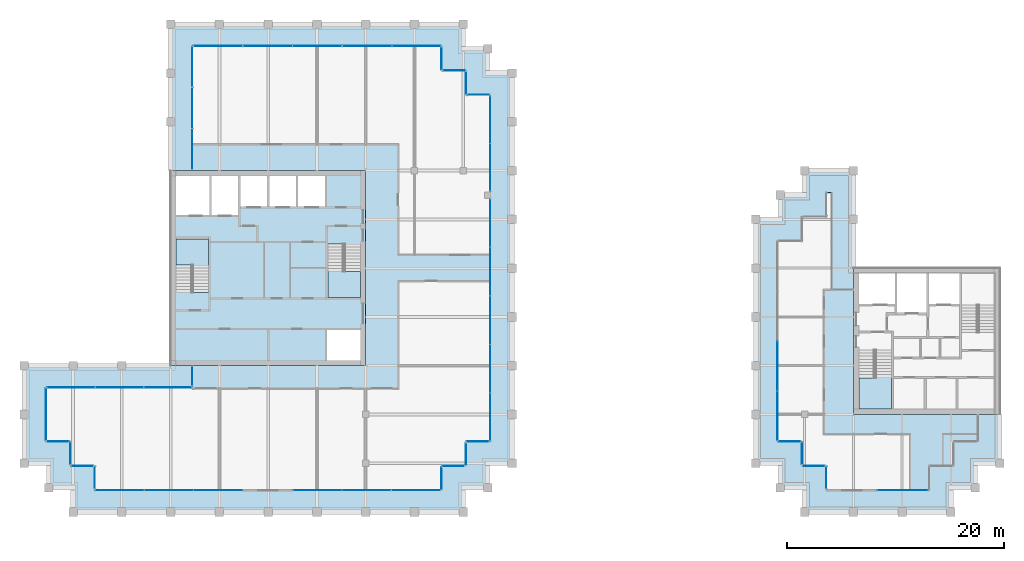
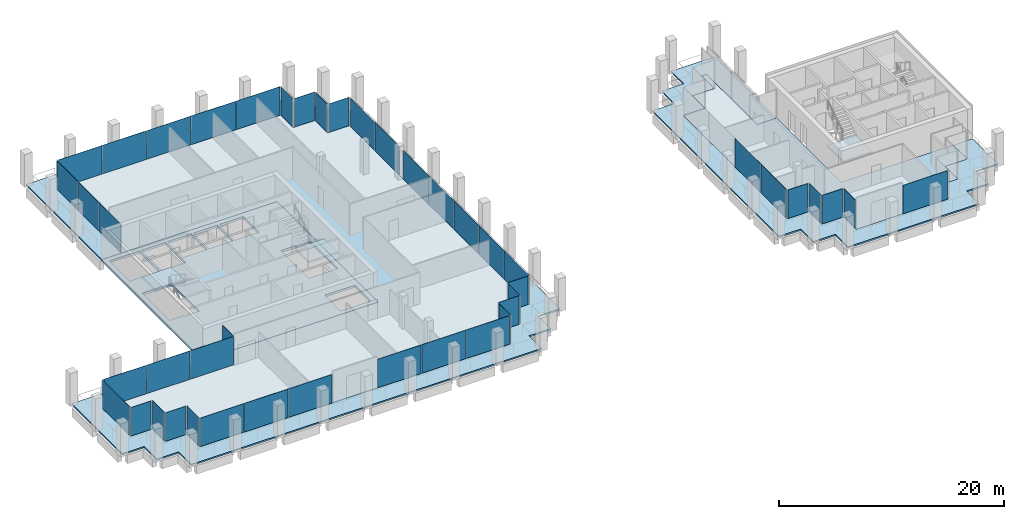
# One storey, part 34 of 40: 45 plates, 8 slabs, 30 elements without a shape of their own.
"""IFC4 building model written with IfcOpenShell, lengths in metres."""

from ifc_helpers import new_model, si_unit, direction, frame, origin, origin_2d, place, context, subcontext, project, spatial, polyline, rectangle, outline, extrude, material, layer, layer_set, type_object, element, aggregate, save


model = new_model("IFC4")

# Units and contexts
model_context = context("Model", 3, precision=1e-05, world=origin(), true_north=direction((0.0, 1.0)))
body_context = subcontext(model_context, "Body", "Model", "MODEL_VIEW")
ifc_project = project(units=[si_unit("LENGTHUNIT", "METRE"), si_unit("AREAUNIT", "SQUARE_METRE"), si_unit("VOLUMEUNIT", "CUBIC_METRE"), si_unit("PLANEANGLEUNIT", "RADIAN"), si_unit("MASSUNIT", "GRAM", prefix="KILO")], contexts=[model_context])

# Site, building, storey
site_placement = place(None, origin())
site = spatial("IfcSite", under=ifc_project, at=site_placement, CompositionType="ELEMENT")
building_placement = place(site_placement, origin())
building = spatial("IfcBuilding", under=site, at=building_placement, Name="Altepetl Exchange Towers", CompositionType="ELEMENT")
storey_placement = place(building_placement, frame((0.0, 0.0, 202.800048828125)))
storey = spatial("IfcBuildingStorey", under=building, at=storey_placement, Name="L51", CompositionType="ELEMENT", Elevation=202.800048828125)

# Slabs
ifc_material_1 = material(Name="Concrete C40/50", Category="concrete")
ifc_layer_1 = layer(ifc_material_1, 0.14990234375)
ifc_layer_set_1 = layer_set([ifc_layer_1], Name="Concrete C40/50")
slab_type_1 = type_object("IfcSlabType", Name="Composite floor slab 150", PredefinedType="FLOOR", material=ifc_layer_set_1)
slab_1_placement = place(storey_placement, frame((0.0, 0.0, -0.150146484375)))
element("IfcSlab", 1, at=slab_1_placement, inside=storey, type_object=slab_type_1, Name="slab:A:L51:strip0", PredefinedType="FLOOR", context=body_context, shape_type="SweptSolid", body=[
    extrude(outline(polyline([(42.5, 70.0), (42.5, 58.5), (58.5, 58.5), (58.5, 40.5), (42.5, 40.5), (42.5, 38.5), (29.0, 38.5), (29.0, 33.5), (31.25, 33.5), (31.25, 31.25), (33.5, 31.25), (33.5, 29.0), (65.5, 29.0), (65.5, 31.25), (67.75, 31.25), (67.75, 33.5), (70.0, 33.5), (70.0, 65.5), (67.75, 65.5), (67.75, 67.75), (65.5, 67.75), (65.5, 70.0), (42.5, 70.0)])), origin(), (0.0, 0.0, 1.0), 0.150146484375),
])
slab_2_placement = place(storey_placement, frame((0.0, 0.0, -0.150146484375)))
element("IfcSlab", 2, at=slab_2_placement, inside=storey, type_object=slab_type_1, Name="slab:B:L51:strip0", PredefinedType="FLOOR", context=body_context, shape_type="SweptSolid", body=[
    extrude(outline(polyline([(98.75, 31.25), (101.0, 31.25), (101.0, 29.0), (110.5, 29.0), (110.5, 31.25), (112.75, 31.25), (112.75, 33.5), (115.0, 33.5), (115.0, 36.0), (103.5, 36.0), (103.5, 47.5), (101.5, 47.5), (101.5, 56.5), (101.0, 56.5), (101.0, 54.25), (98.75, 54.25), (98.75, 52.0), (96.5, 52.0), (96.5, 33.5), (98.75, 33.5), (98.75, 31.25)])), origin(), (0.0, 0.0, 1.0), 0.150146484375),
])
ifc_layer_2 = layer(ifc_material_1, 0.25)
ifc_layer_set_2 = layer_set([ifc_layer_2], Name="Concrete C40/50")
slab_type_2 = type_object("IfcSlabType", Name="Core floor slab 250", PredefinedType="FLOOR", material=ifc_layer_set_2)
slab_3_placement = place(storey_placement, frame((0.0, 0.0, -0.25)))
element("IfcSlab", 3, at=slab_3_placement, inside=storey, type_object=slab_type_2, Name="slab:A:L51:core0", PredefinedType="FLOOR", context=body_context, shape_type="SweptSolid", body=[
    extrude(outline(polyline([(40.5, 40.5), (58.5, 40.5), (58.5, 58.5), (40.5, 58.5), (40.5, 40.5)]), holes=[polyline([(54.93310546875, 43.800048828125), (58.0, 43.800048828125), (58.0, 41.0), (54.93310546875, 41.0), (54.93310546875, 43.800048828125)]), polyline([(55.0, 51.7490234375), (56.550048828125, 51.7490234375), (56.550048828125, 51.64990234375), (58.0, 51.64990234375), (58.0, 46.800048828125), (55.0, 46.800048828125), (55.0, 51.7490234375)]), polyline([(44.0, 47.2509765625), (42.449951171875, 47.2509765625), (42.449951171875, 47.35009765625), (41.0, 47.35009765625), (41.0, 52.199951171875), (44.0, 52.199951171875), (44.0, 47.2509765625)]), polyline([(41.0, 58.0), (44.06689453125, 58.0), (44.06689453125, 54.39990234375), (41.0, 54.39990234375), (41.0, 58.0)]), polyline([(44.26708984375, 58.0), (46.73291015625, 58.0), (46.73291015625, 54.39990234375), (44.26708984375, 54.39990234375), (44.26708984375, 58.0)]), polyline([(46.93310546875, 58.0), (49.39990234375, 58.0), (49.39990234375, 55.199951171875), (46.93310546875, 55.199951171875), (46.93310546875, 58.0)]), polyline([(49.60009765625, 58.0), (52.06689453125, 58.0), (52.06689453125, 55.199951171875), (49.60009765625, 55.199951171875), (49.60009765625, 58.0)]), polyline([(52.26708984375, 58.0), (54.73291015625, 58.0), (54.73291015625, 55.199951171875), (52.26708984375, 55.199951171875), (52.26708984375, 58.0)])]), origin(), (0.0, 0.0, 1.0), 0.25),
])

# Curtain wall, plate
ifc_material_2 = material(Name="Aluminium 6063-T6 glazing", Category="aluminium")
curtain_wall_type = type_object("IfcCurtainWallType", Name="Loggia glazing system", PredefinedType="NOTDEFINED", material=ifc_material_2)
curtain_wall_1_placement = place(storey_placement, origin())
curtain_wall_1 = element("IfcCurtainWall", 4, at=curtain_wall_1_placement, inside=storey, type_object=curtain_wall_type, Name="CW1 run", PredefinedType="NOTDEFINED")
ifc_material_3 = material(Name="Glass 6-16-6 low emissivity", Category="glass")
ifc_layer_3 = layer(ifc_material_3, 0.028076171875)
ifc_layer_set_3 = layer_set([ifc_layer_3], Name="Glass 6-16-6 low emissivity")
plate_type = type_object("IfcPlateType", Name="Glass panel 28 double glazed", PredefinedType="CURTAIN_PANEL", material=ifc_layer_set_3)
plate_1_placement = place(storey_placement, frame((42.5, 39.53759765625, 0.0), z_axis=(0.0, 0.0, 1.0), x_axis=(0.0, -1.0, 0.0)))
plate_1 = element("IfcPlate", 5, at=plate_1_placement, type_object=plate_type, Name="GP1 panel", PredefinedType="CURTAIN_PANEL", context=body_context, shape_type="SweptSolid", body=[
    extrude(rectangle(XDim=1.804931640625, YDim=0.028076171875, at=origin_2d()), origin(), (0.0, 0.0, 1.0), 3.10009765625),
])
aggregate(curtain_wall_1, [plate_1])

# Curtain wall, plates
curtain_wall_2_placement = place(storey_placement, origin())
curtain_wall_2 = element("IfcCurtainWall", 6, at=curtain_wall_2_placement, inside=storey, type_object=curtain_wall_type, Name="CW1 run", PredefinedType="NOTDEFINED")
plate_2_placement = place(storey_placement, frame((40.24755859375, 38.5, 0.0), z_axis=(0.0, 0.0, 1.0), x_axis=(-1.0, 0.0, 0.0)))
plate_2 = element("IfcPlate", 7, at=plate_2_placement, type_object=plate_type, Name="GP1 panel", PredefinedType="CURTAIN_PANEL", context=body_context, shape_type="SweptSolid", body=[
    extrude(rectangle(XDim=4.385009765625, YDim=0.028076171875, at=origin_2d()), origin(), (0.0, 0.0, 1.0), 3.10009765625),
])
plate_3_placement = place(storey_placement, frame((35.78759765625, 38.5, 0.0), z_axis=(0.0, 0.0, 1.0), x_axis=(-1.0, 0.0, 0.0)))
plate_3 = element("IfcPlate", 8, at=plate_3_placement, type_object=plate_type, Name="GP1 panel", PredefinedType="CURTAIN_PANEL", context=body_context, shape_type="SweptSolid", body=[
    extrude(rectangle(XDim=4.4150390625, YDim=0.028076171875, at=origin_2d()), origin(), (0.0, 0.0, 1.0), 3.10009765625),
])
plate_4_placement = place(storey_placement, frame((31.327392578125, 38.5, 0.0), z_axis=(0.0, 0.0, 1.0), x_axis=(-1.0, 0.0, 0.0)))
plate_4 = element("IfcPlate", 9, at=plate_4_placement, type_object=plate_type, Name="GP1 panel", PredefinedType="CURTAIN_PANEL", context=body_context, shape_type="SweptSolid", body=[
    extrude(rectangle(XDim=4.385009765625, YDim=0.028076171875, at=origin_2d()), origin(), (0.0, 0.0, 1.0), 3.10009765625),
])
aggregate(curtain_wall_2, [plate_2, plate_3, plate_4])

# Curtain wall, plate
curtain_wall_3_placement = place(storey_placement, origin())
curtain_wall_3 = element("IfcCurtainWall", 10, at=curtain_wall_3_placement, inside=storey, type_object=curtain_wall_type, Name="CW1 run", PredefinedType="NOTDEFINED")
plate_5_placement = place(storey_placement, frame((29.0, 36.03759765625, 0.0), z_axis=(0.0, 0.0, 1.0), x_axis=(0.0, -1.0, 0.0)))
plate_5 = element("IfcPlate", 11, at=plate_5_placement, type_object=plate_type, Name="GP1 panel", PredefinedType="CURTAIN_PANEL", context=body_context, shape_type="SweptSolid", body=[
    extrude(rectangle(XDim=4.804931640625, YDim=0.028076171875, at=origin_2d()), origin(), (0.0, 0.0, 1.0), 3.10009765625),
])
aggregate(curtain_wall_3, [plate_5])

curtain_wall_4_placement = place(storey_placement, origin())
curtain_wall_4 = element("IfcCurtainWall", 12, at=curtain_wall_4_placement, inside=storey, type_object=curtain_wall_type, Name="CW1 run", PredefinedType="NOTDEFINED")
plate_6_placement = place(storey_placement, frame((30.08740234375, 33.5, 0.0)))
plate_6 = element("IfcPlate", 13, at=plate_6_placement, type_object=plate_type, Name="GP1 panel", PredefinedType="CURTAIN_PANEL", context=body_context, shape_type="SweptSolid", body=[
    extrude(rectangle(XDim=2.054931640625, YDim=0.028076171875, at=origin_2d()), origin(), (0.0, 0.0, 1.0), 3.10009765625),
])
aggregate(curtain_wall_4, [plate_6])

curtain_wall_5_placement = place(storey_placement, origin())
curtain_wall_5 = element("IfcCurtainWall", 14, at=curtain_wall_5_placement, inside=storey, type_object=curtain_wall_type, Name="CW1 run", PredefinedType="NOTDEFINED")
plate_7_placement = place(storey_placement, frame((31.25, 32.41259765625, 0.0), z_axis=(0.0, 0.0, 1.0), x_axis=(0.0, -1.0, 0.0)))
plate_7 = element("IfcPlate", 15, at=plate_7_placement, type_object=plate_type, Name="GP1 panel", PredefinedType="CURTAIN_PANEL", context=body_context, shape_type="SweptSolid", body=[
    extrude(rectangle(XDim=2.054931640625, YDim=0.028076171875, at=origin_2d()), origin(), (0.0, 0.0, 1.0), 3.10009765625),
])
aggregate(curtain_wall_5, [plate_7])

curtain_wall_6_placement = place(storey_placement, origin())
curtain_wall_6 = element("IfcCurtainWall", 16, at=curtain_wall_6_placement, inside=storey, type_object=curtain_wall_type, Name="CW1 run", PredefinedType="NOTDEFINED")
plate_8_placement = place(storey_placement, frame((32.33740234375, 31.25, 0.0)))
plate_8 = element("IfcPlate", 17, at=plate_8_placement, type_object=plate_type, Name="GP1 panel", PredefinedType="CURTAIN_PANEL", context=body_context, shape_type="SweptSolid", body=[
    extrude(rectangle(XDim=2.054931640625, YDim=0.028076171875, at=origin_2d()), origin(), (0.0, 0.0, 1.0), 3.10009765625),
])
aggregate(curtain_wall_6, [plate_8])

curtain_wall_7_placement = place(storey_placement, origin())
curtain_wall_7 = element("IfcCurtainWall", 18, at=curtain_wall_7_placement, inside=storey, type_object=curtain_wall_type, Name="CW1 run", PredefinedType="NOTDEFINED")
plate_9_placement = place(storey_placement, frame((33.5, 30.16259765625, 0.0), z_axis=(0.0, 0.0, 1.0), x_axis=(0.0, -1.0, 0.0)))
plate_9 = element("IfcPlate", 19, at=plate_9_placement, type_object=plate_type, Name="GP1 panel", PredefinedType="CURTAIN_PANEL", context=body_context, shape_type="SweptSolid", body=[
    extrude(rectangle(XDim=2.054931640625, YDim=0.028076171875, at=origin_2d()), origin(), (0.0, 0.0, 1.0), 3.10009765625),
])
aggregate(curtain_wall_7, [plate_9])

# Curtain wall, plates
curtain_wall_8_placement = place(storey_placement, origin())
curtain_wall_8 = element("IfcCurtainWall", 20, at=curtain_wall_8_placement, inside=storey, type_object=curtain_wall_type, Name="CW1 run", PredefinedType="NOTDEFINED")
plate_10_placement = place(storey_placement, frame((35.79541015625, 29.0, 0.0)))
plate_10 = element("IfcPlate", 21, at=plate_10_placement, type_object=plate_type, Name="GP1 panel", PredefinedType="CURTAIN_PANEL", context=body_context, shape_type="SweptSolid", body=[
    extrude(rectangle(XDim=4.470703125, YDim=0.028076171875, at=origin_2d()), origin(), (0.0, 0.0, 1.0), 3.10009765625),
])
plate_11_placement = place(storey_placement, frame((40.341064453125, 29.0, 0.0)))
plate_11 = element("IfcPlate", 22, at=plate_11_placement, type_object=plate_type, Name="GP1 panel", PredefinedType="CURTAIN_PANEL", context=body_context, shape_type="SweptSolid", body=[
    extrude(rectangle(XDim=4.500732421875, YDim=0.028076171875, at=origin_2d()), origin(), (0.0, 0.0, 1.0), 3.10009765625),
])
plate_12_placement = place(storey_placement, frame((44.88671875, 29.0, 0.0)))
plate_12 = element("IfcPlate", 23, at=plate_12_placement, type_object=plate_type, Name="GP1 panel", PredefinedType="CURTAIN_PANEL", context=body_context, shape_type="SweptSolid", body=[
    extrude(rectangle(XDim=4.470703125, YDim=0.028076171875, at=origin_2d()), origin(), (0.0, 0.0, 1.0), 3.10009765625),
])
aggregate(curtain_wall_8, [plate_10, plate_11, plate_12])

curtain_wall_9_placement = place(storey_placement, origin())
curtain_wall_9 = element("IfcCurtainWall", 24, at=curtain_wall_9_placement, inside=storey, type_object=curtain_wall_type, Name="CW1 run", PredefinedType="NOTDEFINED")
plate_13_placement = place(storey_placement, frame((54.038330078125, 29.0, 0.0)))
plate_13 = element("IfcPlate", 25, at=plate_13_placement, type_object=plate_type, Name="GP1 panel", PredefinedType="CURTAIN_PANEL", context=body_context, shape_type="SweptSolid", body=[
    extrude(rectangle(XDim=4.470703125, YDim=0.028076171875, at=origin_2d()), origin(), (0.0, 0.0, 1.0), 3.10009765625),
])
plate_14_placement = place(storey_placement, frame((58.583984375, 29.0, 0.0)))
plate_14 = element("IfcPlate", 26, at=plate_14_placement, type_object=plate_type, Name="GP1 panel", PredefinedType="CURTAIN_PANEL", context=body_context, shape_type="SweptSolid", body=[
    extrude(rectangle(XDim=4.500732421875, YDim=0.028076171875, at=origin_2d()), origin(), (0.0, 0.0, 1.0), 3.10009765625),
])
plate_15_placement = place(storey_placement, frame((63.129638671875, 29.0, 0.0)))
plate_15 = element("IfcPlate", 27, at=plate_15_placement, type_object=plate_type, Name="GP1 panel", PredefinedType="CURTAIN_PANEL", context=body_context, shape_type="SweptSolid", body=[
    extrude(rectangle(XDim=4.470703125, YDim=0.028076171875, at=origin_2d()), origin(), (0.0, 0.0, 1.0), 3.10009765625),
])
aggregate(curtain_wall_9, [plate_13, plate_14, plate_15])

# Curtain wall, plate
curtain_wall_10_placement = place(storey_placement, origin())
curtain_wall_10 = element("IfcCurtainWall", 28, at=curtain_wall_10_placement, inside=storey, type_object=curtain_wall_type, Name="CW1 run", PredefinedType="NOTDEFINED")
plate_16_placement = place(storey_placement, frame((65.5, 30.08740234375, 0.0), z_axis=(0.0, 0.0, 1.0), x_axis=(0.0, 1.0, 0.0)))
plate_16 = element("IfcPlate", 29, at=plate_16_placement, type_object=plate_type, Name="GP1 panel", PredefinedType="CURTAIN_PANEL", context=body_context, shape_type="SweptSolid", body=[
    extrude(rectangle(XDim=2.054931640625, YDim=0.028076171875, at=origin_2d()), origin(), (0.0, 0.0, 1.0), 3.10009765625),
])
aggregate(curtain_wall_10, [plate_16])

curtain_wall_11_placement = place(storey_placement, origin())
curtain_wall_11 = element("IfcCurtainWall", 30, at=curtain_wall_11_placement, inside=storey, type_object=curtain_wall_type, Name="CW1 run", PredefinedType="NOTDEFINED")
plate_17_placement = place(storey_placement, frame((66.58740234375, 31.25, 0.0)))
plate_17 = element("IfcPlate", 31, at=plate_17_placement, type_object=plate_type, Name="GP1 panel", PredefinedType="CURTAIN_PANEL", context=body_context, shape_type="SweptSolid", body=[
    extrude(rectangle(XDim=2.054931640625, YDim=0.028076171875, at=origin_2d()), origin(), (0.0, 0.0, 1.0), 3.10009765625),
])
aggregate(curtain_wall_11, [plate_17])

curtain_wall_12_placement = place(storey_placement, origin())
curtain_wall_12 = element("IfcCurtainWall", 32, at=curtain_wall_12_placement, inside=storey, type_object=curtain_wall_type, Name="CW1 run", PredefinedType="NOTDEFINED")
plate_18_placement = place(storey_placement, frame((67.75, 32.33740234375, 0.0), z_axis=(0.0, 0.0, 1.0), x_axis=(0.0, 1.0, 0.0)))
plate_18 = element("IfcPlate", 33, at=plate_18_placement, type_object=plate_type, Name="GP1 panel", PredefinedType="CURTAIN_PANEL", context=body_context, shape_type="SweptSolid", body=[
    extrude(rectangle(XDim=2.054931640625, YDim=0.028076171875, at=origin_2d()), origin(), (0.0, 0.0, 1.0), 3.10009765625),
])
aggregate(curtain_wall_12, [plate_18])

curtain_wall_13_placement = place(storey_placement, origin())
curtain_wall_13 = element("IfcCurtainWall", 34, at=curtain_wall_13_placement, inside=storey, type_object=curtain_wall_type, Name="CW1 run", PredefinedType="NOTDEFINED")
plate_19_placement = place(storey_placement, frame((68.83740234375, 33.5, 0.0)))
plate_19 = element("IfcPlate", 35, at=plate_19_placement, type_object=plate_type, Name="GP1 panel", PredefinedType="CURTAIN_PANEL", context=body_context, shape_type="SweptSolid", body=[
    extrude(rectangle(XDim=2.054931640625, YDim=0.028076171875, at=origin_2d()), origin(), (0.0, 0.0, 1.0), 3.10009765625),
])
aggregate(curtain_wall_13, [plate_19])

# Curtain wall, plates
curtain_wall_14_placement = place(storey_placement, origin())
curtain_wall_14 = element("IfcCurtainWall", 36, at=curtain_wall_14_placement, inside=storey, type_object=curtain_wall_type, Name="CW1 run", PredefinedType="NOTDEFINED")
plate_20_placement = place(storey_placement, frame((70.0, 35.758056640625, 0.0), z_axis=(0.0, 0.0, 1.0), x_axis=(0.0, 1.0, 0.0)))
plate_20 = element("IfcPlate", 37, at=plate_20_placement, type_object=plate_type, Name="GP1 panel", PredefinedType="CURTAIN_PANEL", context=body_context, shape_type="SweptSolid", body=[
    extrude(rectangle(XDim=4.39599609375, YDim=0.028076171875, at=origin_2d()), origin(), (0.0, 0.0, 1.0), 3.10009765625),
])
plate_21_placement = place(storey_placement, frame((70.0, 40.22900390625, 0.0), z_axis=(0.0, 0.0, 1.0), x_axis=(0.0, 1.0, 0.0)))
plate_21 = element("IfcPlate", 38, at=plate_21_placement, type_object=plate_type, Name="GP1 panel", PredefinedType="CURTAIN_PANEL", context=body_context, shape_type="SweptSolid", body=[
    extrude(rectangle(XDim=4.426025390625, YDim=0.028076171875, at=origin_2d()), origin(), (0.0, 0.0, 1.0), 3.10009765625),
])
plate_22_placement = place(storey_placement, frame((70.0, 44.715087890625, 0.0), z_axis=(0.0, 0.0, 1.0), x_axis=(0.0, 1.0, 0.0)))
plate_22 = element("IfcPlate", 39, at=plate_22_placement, type_object=plate_type, Name="GP1 panel", PredefinedType="CURTAIN_PANEL", context=body_context, shape_type="SweptSolid", body=[
    extrude(rectangle(XDim=4.426025390625, YDim=0.028076171875, at=origin_2d()), origin(), (0.0, 0.0, 1.0), 3.10009765625),
])
plate_23_placement = place(storey_placement, frame((70.0, 49.200927734375, 0.0), z_axis=(0.0, 0.0, 1.0), x_axis=(0.0, 1.0, 0.0)))
plate_23 = element("IfcPlate", 40, at=plate_23_placement, type_object=plate_type, Name="GP1 panel", PredefinedType="CURTAIN_PANEL", context=body_context, shape_type="SweptSolid", body=[
    extrude(rectangle(XDim=4.426025390625, YDim=0.028076171875, at=origin_2d()), origin(), (0.0, 0.0, 1.0), 3.10009765625),
])
plate_24_placement = place(storey_placement, frame((70.0, 53.672119140625, 0.0), z_axis=(0.0, 0.0, 1.0), x_axis=(0.0, 1.0, 0.0)))
plate_24 = element("IfcPlate", 41, at=plate_24_placement, type_object=plate_type, Name="GP1 panel", PredefinedType="CURTAIN_PANEL", context=body_context, shape_type="SweptSolid", body=[
    extrude(rectangle(XDim=4.39599609375, YDim=0.028076171875, at=origin_2d()), origin(), (0.0, 0.0, 1.0), 3.10009765625),
])
aggregate(curtain_wall_14, [plate_20, plate_21, plate_22, plate_23, plate_24])

curtain_wall_15_placement = place(storey_placement, origin())
curtain_wall_15 = element("IfcCurtainWall", 42, at=curtain_wall_15_placement, inside=storey, type_object=curtain_wall_type, Name="CW1 run", PredefinedType="NOTDEFINED")
plate_25_placement = place(storey_placement, frame((70.0, 58.798828125, 0.0), z_axis=(0.0, 0.0, 1.0), x_axis=(0.0, 1.0, 0.0)))
plate_25 = element("IfcPlate", 43, at=plate_25_placement, type_object=plate_type, Name="GP1 panel", PredefinedType="CURTAIN_PANEL", context=body_context, shape_type="SweptSolid", body=[
    extrude(rectangle(XDim=4.33740234375, YDim=0.028076171875, at=origin_2d()), origin(), (0.0, 0.0, 1.0), 3.10009765625),
])
plate_26_placement = place(storey_placement, frame((70.0, 63.1962890625, 0.0), z_axis=(0.0, 0.0, 1.0), x_axis=(0.0, 1.0, 0.0)))
plate_26 = element("IfcPlate", 44, at=plate_26_placement, type_object=plate_type, Name="GP1 panel", PredefinedType="CURTAIN_PANEL", context=body_context, shape_type="SweptSolid", body=[
    extrude(rectangle(XDim=4.33740234375, YDim=0.028076171875, at=origin_2d()), origin(), (0.0, 0.0, 1.0), 3.10009765625),
])
aggregate(curtain_wall_15, [plate_25, plate_26])

# Curtain wall, plate
curtain_wall_16_placement = place(storey_placement, origin())
curtain_wall_16 = element("IfcCurtainWall", 45, at=curtain_wall_16_placement, inside=storey, type_object=curtain_wall_type, Name="CW1 run", PredefinedType="NOTDEFINED")
plate_27_placement = place(storey_placement, frame((68.91259765625, 65.5, 0.0), z_axis=(0.0, 0.0, 1.0), x_axis=(-1.0, 0.0, 0.0)))
plate_27 = element("IfcPlate", 46, at=plate_27_placement, type_object=plate_type, Name="GP1 panel", PredefinedType="CURTAIN_PANEL", context=body_context, shape_type="SweptSolid", body=[
    extrude(rectangle(XDim=2.054931640625, YDim=0.028076171875, at=origin_2d()), origin(), (0.0, 0.0, 1.0), 3.10009765625),
])
aggregate(curtain_wall_16, [plate_27])

curtain_wall_17_placement = place(storey_placement, origin())
curtain_wall_17 = element("IfcCurtainWall", 47, at=curtain_wall_17_placement, inside=storey, type_object=curtain_wall_type, Name="CW1 run", PredefinedType="NOTDEFINED")
plate_28_placement = place(storey_placement, frame((67.75, 66.58740234375, 0.0), z_axis=(0.0, 0.0, 1.0), x_axis=(0.0, 1.0, 0.0)))
plate_28 = element("IfcPlate", 48, at=plate_28_placement, type_object=plate_type, Name="GP1 panel", PredefinedType="CURTAIN_PANEL", context=body_context, shape_type="SweptSolid", body=[
    extrude(rectangle(XDim=2.054931640625, YDim=0.028076171875, at=origin_2d()), origin(), (0.0, 0.0, 1.0), 3.10009765625),
])
aggregate(curtain_wall_17, [plate_28])

curtain_wall_18_placement = place(storey_placement, origin())
curtain_wall_18 = element("IfcCurtainWall", 49, at=curtain_wall_18_placement, inside=storey, type_object=curtain_wall_type, Name="CW1 run", PredefinedType="NOTDEFINED")
plate_29_placement = place(storey_placement, frame((66.66259765625, 67.75, 0.0), z_axis=(0.0, 0.0, 1.0), x_axis=(-1.0, 0.0, 0.0)))
plate_29 = element("IfcPlate", 50, at=plate_29_placement, type_object=plate_type, Name="GP1 panel", PredefinedType="CURTAIN_PANEL", context=body_context, shape_type="SweptSolid", body=[
    extrude(rectangle(XDim=2.054931640625, YDim=0.028076171875, at=origin_2d()), origin(), (0.0, 0.0, 1.0), 3.10009765625),
])
aggregate(curtain_wall_18, [plate_29])

curtain_wall_19_placement = place(storey_placement, origin())
curtain_wall_19 = element("IfcCurtainWall", 51, at=curtain_wall_19_placement, inside=storey, type_object=curtain_wall_type, Name="CW1 run", PredefinedType="NOTDEFINED")
plate_30_placement = place(storey_placement, frame((65.5, 68.83740234375, 0.0), z_axis=(0.0, 0.0, 1.0), x_axis=(0.0, 1.0, 0.0)))
plate_30 = element("IfcPlate", 52, at=plate_30_placement, type_object=plate_type, Name="GP1 panel", PredefinedType="CURTAIN_PANEL", context=body_context, shape_type="SweptSolid", body=[
    extrude(rectangle(XDim=2.054931640625, YDim=0.028076171875, at=origin_2d()), origin(), (0.0, 0.0, 1.0), 3.10009765625),
])
aggregate(curtain_wall_19, [plate_30])

# Curtain wall, plates
curtain_wall_20_placement = place(storey_placement, origin())
curtain_wall_20 = element("IfcCurtainWall", 53, at=curtain_wall_20_placement, inside=storey, type_object=curtain_wall_type, Name="CW1 run", PredefinedType="NOTDEFINED")
plate_31_placement = place(storey_placement, frame((63.1923828125, 70.0, 0.0), z_axis=(0.0, 0.0, 1.0), x_axis=(-1.0, 0.0, 0.0)))
plate_31 = element("IfcPlate", 54, at=plate_31_placement, type_object=plate_type, Name="GP1 panel", PredefinedType="CURTAIN_PANEL", context=body_context, shape_type="SweptSolid", body=[
    extrude(rectangle(XDim=4.4951171875, YDim=0.028076171875, at=origin_2d()), origin(), (0.0, 0.0, 1.0), 3.10009765625),
])
plate_32_placement = place(storey_placement, frame((58.62255859375, 70.0, 0.0), z_axis=(0.0, 0.0, 1.0), x_axis=(-1.0, 0.0, 0.0)))
plate_32 = element("IfcPlate", 55, at=plate_32_placement, type_object=plate_type, Name="GP1 panel", PredefinedType="CURTAIN_PANEL", context=body_context, shape_type="SweptSolid", body=[
    extrude(rectangle(XDim=4.52490234375, YDim=0.028076171875, at=origin_2d()), origin(), (0.0, 0.0, 1.0), 3.10009765625),
])
plate_33_placement = place(storey_placement, frame((54.03759765625, 70.0, 0.0), z_axis=(0.0, 0.0, 1.0), x_axis=(-1.0, 0.0, 0.0)))
plate_33 = element("IfcPlate", 56, at=plate_33_placement, type_object=plate_type, Name="GP1 panel", PredefinedType="CURTAIN_PANEL", context=body_context, shape_type="SweptSolid", body=[
    extrude(rectangle(XDim=4.52490234375, YDim=0.028076171875, at=origin_2d()), origin(), (0.0, 0.0, 1.0), 3.10009765625),
])
plate_34_placement = place(storey_placement, frame((49.452392578125, 70.0, 0.0), z_axis=(0.0, 0.0, 1.0), x_axis=(-1.0, 0.0, 0.0)))
plate_34 = element("IfcPlate", 57, at=plate_34_placement, type_object=plate_type, Name="GP1 panel", PredefinedType="CURTAIN_PANEL", context=body_context, shape_type="SweptSolid", body=[
    extrude(rectangle(XDim=4.52490234375, YDim=0.028076171875, at=origin_2d()), origin(), (0.0, 0.0, 1.0), 3.10009765625),
])
plate_35_placement = place(storey_placement, frame((44.882568359375, 70.0, 0.0), z_axis=(0.0, 0.0, 1.0), x_axis=(-1.0, 0.0, 0.0)))
plate_35 = element("IfcPlate", 58, at=plate_35_placement, type_object=plate_type, Name="GP1 panel", PredefinedType="CURTAIN_PANEL", context=body_context, shape_type="SweptSolid", body=[
    extrude(rectangle(XDim=4.4951171875, YDim=0.028076171875, at=origin_2d()), origin(), (0.0, 0.0, 1.0), 3.10009765625),
])
aggregate(curtain_wall_20, [plate_31, plate_32, plate_33, plate_34, plate_35])

curtain_wall_21_placement = place(storey_placement, origin())
curtain_wall_21 = element("IfcCurtainWall", 59, at=curtain_wall_21_placement, inside=storey, type_object=curtain_wall_type, Name="CW1 run", PredefinedType="NOTDEFINED")
plate_36_placement = place(storey_placement, frame((42.5, 68.080810546875, 0.0), z_axis=(0.0, 0.0, 1.0), x_axis=(0.0, -1.0, 0.0)))
plate_36 = element("IfcPlate", 60, at=plate_36_placement, type_object=plate_type, Name="GP1 panel", PredefinedType="CURTAIN_PANEL", context=body_context, shape_type="SweptSolid", body=[
    extrude(rectangle(XDim=3.71826171875, YDim=0.028076171875, at=origin_2d()), origin(), (0.0, 0.0, 1.0), 3.10009765625),
])
plate_37_placement = place(storey_placement, frame((42.5, 64.28759765625, 0.0), z_axis=(0.0, 0.0, 1.0), x_axis=(0.0, -1.0, 0.0)))
plate_37 = element("IfcPlate", 61, at=plate_37_placement, type_object=plate_type, Name="GP1 panel", PredefinedType="CURTAIN_PANEL", context=body_context, shape_type="SweptSolid", body=[
    extrude(rectangle(XDim=3.748291015625, YDim=0.028076171875, at=origin_2d()), origin(), (0.0, 0.0, 1.0), 3.10009765625),
])
plate_38_placement = place(storey_placement, frame((42.5, 60.494140625, 0.0), z_axis=(0.0, 0.0, 1.0), x_axis=(0.0, -1.0, 0.0)))
plate_38 = element("IfcPlate", 62, at=plate_38_placement, type_object=plate_type, Name="GP1 panel", PredefinedType="CURTAIN_PANEL", context=body_context, shape_type="SweptSolid", body=[
    extrude(rectangle(XDim=3.71826171875, YDim=0.028076171875, at=origin_2d()), origin(), (0.0, 0.0, 1.0), 3.10009765625),
])
aggregate(curtain_wall_21, [plate_36, plate_37, plate_38])

# Curtain wall, plate
curtain_wall_22_placement = place(storey_placement, origin())
curtain_wall_22 = element("IfcCurtainWall", 63, at=curtain_wall_22_placement, inside=storey, type_object=curtain_wall_type, Name="CW1 run", PredefinedType="NOTDEFINED")
plate_39_placement = place(storey_placement, frame((101.0, 30.16259765625, 0.0), z_axis=(0.0, 0.0, 1.0), x_axis=(0.0, -1.0, 0.0)))
plate_39 = element("IfcPlate", 64, at=plate_39_placement, type_object=plate_type, Name="GP1 panel", PredefinedType="CURTAIN_PANEL", context=body_context, shape_type="SweptSolid", body=[
    extrude(rectangle(XDim=2.054931640625, YDim=0.028076171875, at=origin_2d()), origin(), (0.0, 0.0, 1.0), 3.10009765625),
])
aggregate(curtain_wall_22, [plate_39])

curtain_wall_23_placement = place(storey_placement, origin())
curtain_wall_23 = element("IfcCurtainWall", 65, at=curtain_wall_23_placement, inside=storey, type_object=curtain_wall_type, Name="CW1 run", PredefinedType="NOTDEFINED")
plate_40_placement = place(storey_placement, frame((108.06884765625, 29.0, 0.0)))
plate_40 = element("IfcPlate", 66, at=plate_40_placement, type_object=plate_type, Name="GP1 panel", PredefinedType="CURTAIN_PANEL", context=body_context, shape_type="SweptSolid", body=[
    extrude(rectangle(XDim=4.592529296875, YDim=0.028076171875, at=origin_2d()), origin(), (0.0, 0.0, 1.0), 3.10009765625),
])
aggregate(curtain_wall_23, [plate_40])

# Curtain wall, plates
curtain_wall_24_placement = place(storey_placement, origin())
curtain_wall_24 = element("IfcCurtainWall", 67, at=curtain_wall_24_placement, inside=storey, type_object=curtain_wall_type, Name="CW1 run", PredefinedType="NOTDEFINED")
plate_41_placement = place(storey_placement, frame((96.5, 40.484375, 0.0), z_axis=(0.0, 0.0, 1.0), x_axis=(0.0, -1.0, 0.0)))
plate_41 = element("IfcPlate", 68, at=plate_41_placement, type_object=plate_type, Name="GP1 panel", PredefinedType="CURTAIN_PANEL", context=body_context, shape_type="SweptSolid", body=[
    extrude(rectangle(XDim=4.546142578125, YDim=0.028076171875, at=origin_2d()), origin(), (0.0, 0.0, 1.0), 3.10009765625),
])
plate_42_placement = place(storey_placement, frame((96.5, 35.89306640625, 0.0), z_axis=(0.0, 0.0, 1.0), x_axis=(0.0, -1.0, 0.0)))
plate_42 = element("IfcPlate", 69, at=plate_42_placement, type_object=plate_type, Name="GP1 panel", PredefinedType="CURTAIN_PANEL", context=body_context, shape_type="SweptSolid", body=[
    extrude(rectangle(XDim=4.516357421875, YDim=0.028076171875, at=origin_2d()), origin(), (0.0, 0.0, 1.0), 3.10009765625),
])
aggregate(curtain_wall_24, [plate_41, plate_42])

# Curtain wall, plate
curtain_wall_25_placement = place(storey_placement, origin())
curtain_wall_25 = element("IfcCurtainWall", 70, at=curtain_wall_25_placement, inside=storey, type_object=curtain_wall_type, Name="CW1 run", PredefinedType="NOTDEFINED")
plate_43_placement = place(storey_placement, frame((97.58740234375, 33.5, 0.0)))
plate_43 = element("IfcPlate", 71, at=plate_43_placement, type_object=plate_type, Name="GP1 panel", PredefinedType="CURTAIN_PANEL", context=body_context, shape_type="SweptSolid", body=[
    extrude(rectangle(XDim=2.054931640625, YDim=0.028076171875, at=origin_2d()), origin(), (0.0, 0.0, 1.0), 3.10009765625),
])
aggregate(curtain_wall_25, [plate_43])

curtain_wall_26_placement = place(storey_placement, origin())
curtain_wall_26 = element("IfcCurtainWall", 72, at=curtain_wall_26_placement, inside=storey, type_object=curtain_wall_type, Name="CW1 run", PredefinedType="NOTDEFINED")
plate_44_placement = place(storey_placement, frame((98.75, 32.41259765625, 0.0), z_axis=(0.0, 0.0, 1.0), x_axis=(0.0, -1.0, 0.0)))
plate_44 = element("IfcPlate", 73, at=plate_44_placement, type_object=plate_type, Name="GP1 panel", PredefinedType="CURTAIN_PANEL", context=body_context, shape_type="SweptSolid", body=[
    extrude(rectangle(XDim=2.054931640625, YDim=0.028076171875, at=origin_2d()), origin(), (0.0, 0.0, 1.0), 3.10009765625),
])
aggregate(curtain_wall_26, [plate_44])

curtain_wall_27_placement = place(storey_placement, origin())
curtain_wall_27 = element("IfcCurtainWall", 74, at=curtain_wall_27_placement, inside=storey, type_object=curtain_wall_type, Name="CW1 run", PredefinedType="NOTDEFINED")
plate_45_placement = place(storey_placement, frame((99.83740234375, 31.25, 0.0)))
plate_45 = element("IfcPlate", 75, at=plate_45_placement, type_object=plate_type, Name="GP1 panel", PredefinedType="CURTAIN_PANEL", context=body_context, shape_type="SweptSolid", body=[
    extrude(rectangle(XDim=2.054931640625, YDim=0.028076171875, at=origin_2d()), origin(), (0.0, 0.0, 1.0), 3.10009765625),
])
aggregate(curtain_wall_27, [plate_45])

# Slabs
ifc_layer_4 = layer(ifc_material_1, 0.14990234375)
ifc_layer_set_4 = layer_set([ifc_layer_4], Name="Concrete C40/50")
slab_type_3 = type_object("IfcSlabType", Name="Loggia slab 150", PredefinedType="FLOOR", material=ifc_layer_set_4)
slab_4_placement = place(storey_placement, frame((0.0, 0.0, -0.150146484375)))
element("IfcSlab", 76, at=slab_4_placement, inside=storey, type_object=slab_type_3, Name="slab:A:L51:loggia0", PredefinedType="FLOOR", context=body_context, shape_type="SweptSolid", body=[
    extrude(outline(polyline([(40.5, 72.0), (40.5, 58.5), (42.5, 58.5), (42.5, 70.0), (65.5, 70.0), (65.5, 67.75), (67.75, 67.75), (67.75, 65.5), (70.0, 65.5), (70.0, 33.5), (67.75, 33.5), (67.75, 31.25), (65.5, 31.25), (65.5, 29.0), (33.5, 29.0), (33.5, 31.25), (31.25, 31.25), (31.25, 33.5), (29.0, 33.5), (29.0, 38.5), (42.5, 38.5), (42.5, 40.5), (40.5, 40.5), (27.0, 40.5), (27.0, 31.5), (29.25, 31.5), (29.25, 29.25), (31.5, 29.25), (31.5, 27.0), (58.5, 27.0), (67.5, 27.0), (67.5, 29.25), (69.75, 29.25), (69.75, 31.5), (72.0, 31.5), (72.0, 58.5), (72.0, 67.5), (69.75, 67.5), (69.75, 69.75), (67.5, 69.75), (67.5, 72.0), (40.5, 72.0)])), origin(), (0.0, 0.0, 1.0), 0.150146484375),
])
slab_5_placement = place(storey_placement, frame((0.0, 0.0, -0.150146484375)))
element("IfcSlab", 77, at=slab_5_placement, inside=storey, type_object=slab_type_3, Name="slab:B:L51:loggia0", PredefinedType="FLOOR", context=body_context, shape_type="SweptSolid", body=[
    extrude(outline(polyline([(99.0, 29.25), (99.0, 27.0), (112.5, 27.0), (112.5, 29.25), (114.75, 29.25), (114.75, 31.5), (117.0, 31.5), (117.0, 36.0), (115.0, 36.0), (115.0, 33.5), (112.75, 33.5), (112.75, 31.25), (110.5, 31.25), (110.5, 29.0), (101.0, 29.0), (101.0, 31.25), (98.75, 31.25), (98.75, 33.5), (96.5, 33.5), (96.5, 52.0), (98.75, 52.0), (98.75, 54.25), (101.0, 54.25), (101.0, 56.5), (101.5, 56.5), (101.5, 47.5), (103.5, 47.5), (103.5, 49.5), (103.5, 58.5), (99.0, 58.5), (99.0, 56.25), (96.75, 56.25), (96.75, 54.0), (94.5, 54.0), (94.5, 36.0), (94.5, 31.5), (96.75, 31.5), (96.75, 29.25), (99.0, 29.25)])), origin(), (0.0, 0.0, 1.0), 0.150146484375),
])

# Stair, slab
stair_type = type_object("IfcStairType", Name="Exit stair 1450 flights dogleg", PredefinedType="HALF_TURN_STAIR", material=ifc_material_1)
stair_1_placement = place(storey_placement, origin())
stair_1 = element("IfcStair", 78, at=stair_1_placement, inside=storey, type_object=stair_type, Name="Exit stair 1", PredefinedType="HALF_TURN_STAIR")
ifc_layer_5 = layer(ifc_material_1, 0.199951171875)
ifc_layer_set_5 = layer_set([ifc_layer_5], Name="Concrete C40/50")
slab_type_4 = type_object("IfcSlabType", Name="Stair landing 200 reinforced concrete", PredefinedType="LANDING", material=ifc_layer_set_5)
slab_6_placement = place(storey_placement, frame((0.0, 0.0, 1.599853515625)))
slab_6 = element("IfcSlab", 79, at=slab_6_placement, type_object=slab_type_4, Name="ST-A1f landing 1", PredefinedType="LANDING", context=body_context, shape_type="SweptSolid", body=[
    extrude(outline(polyline([(44.0, 49.715087890625), (42.550048828125, 49.715087890625), (42.550048828125, 49.81494140625), (42.449951171875, 49.81494140625), (42.449951171875, 49.814208984375), (41.0, 49.814208984375), (41.0, 49.81494140625), (41.0, 52.199951171875), (44.0, 52.199951171875), (44.0, 49.81494140625), (44.0, 49.715087890625)])), origin(), (0.0, 0.0, 1.0), 0.2001953125),
])
aggregate(stair_1, [slab_6])

stair_2_placement = place(storey_placement, origin())
stair_2 = element("IfcStair", 80, at=stair_2_placement, inside=storey, type_object=stair_type, Name="Exit stair 2", PredefinedType="HALF_TURN_STAIR")
slab_7_placement = place(storey_placement, frame((0.0, 0.0, 1.599853515625)))
slab_7 = element("IfcSlab", 81, at=slab_7_placement, type_object=slab_type_4, Name="ST-A2f landing 1", PredefinedType="LANDING", context=body_context, shape_type="SweptSolid", body=[
    extrude(outline(polyline([(58.0, 46.800048828125), (55.0, 46.800048828125), (55.0, 49.18505859375), (55.0, 49.284912109375), (56.449951171875, 49.284912109375), (56.449951171875, 49.18505859375), (56.550048828125, 49.18505859375), (56.550048828125, 49.185791015625), (58.0, 49.185791015625), (58.0, 49.18505859375), (58.0, 46.800048828125)])), origin(), (0.0, 0.0, 1.0), 0.2001953125),
])
aggregate(stair_2, [slab_7])

stair_3_placement = place(storey_placement, origin())
stair_3 = element("IfcStair", 82, at=stair_3_placement, inside=storey, type_object=stair_type, Name="Exit stair 1", PredefinedType="HALF_TURN_STAIR")
slab_8_placement = place(storey_placement, frame((0.0, 0.0, 1.599853515625)))
slab_8 = element("IfcSlab", 83, at=slab_8_placement, type_object=slab_type_4, Name="ST-B1f landing 1", PredefinedType="LANDING", context=body_context, shape_type="SweptSolid", body=[
    extrude(outline(polyline([(107.0, 36.5), (104.0, 36.5), (104.0, 39.385009765625), (104.0, 39.3857421875), (105.449951171875, 39.3857421875), (105.449951171875, 39.385009765625), (105.550048828125, 39.385009765625), (105.550048828125, 39.485107421875), (107.0, 39.485107421875), (107.0, 39.385009765625), (107.0, 36.5)])), origin(), (0.0, 0.0, 1.0), 0.2001953125),
])
aggregate(stair_3, [slab_8])

save(model, "model.ifc")
